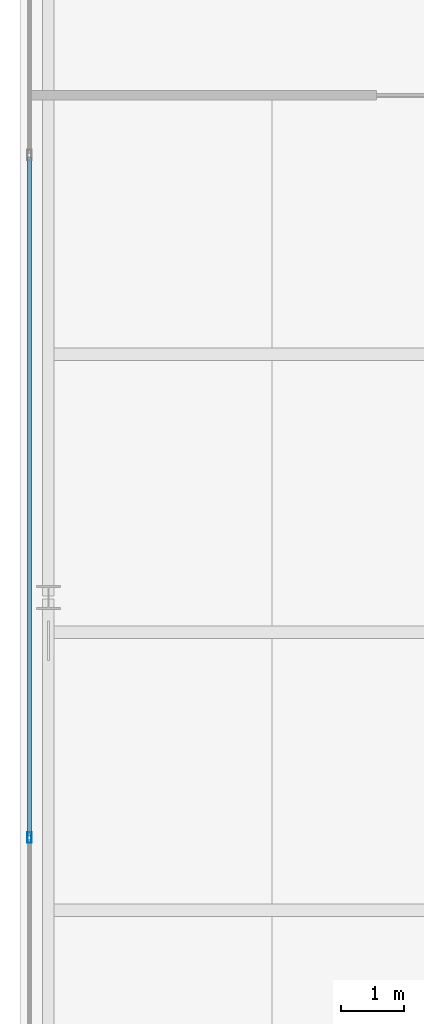
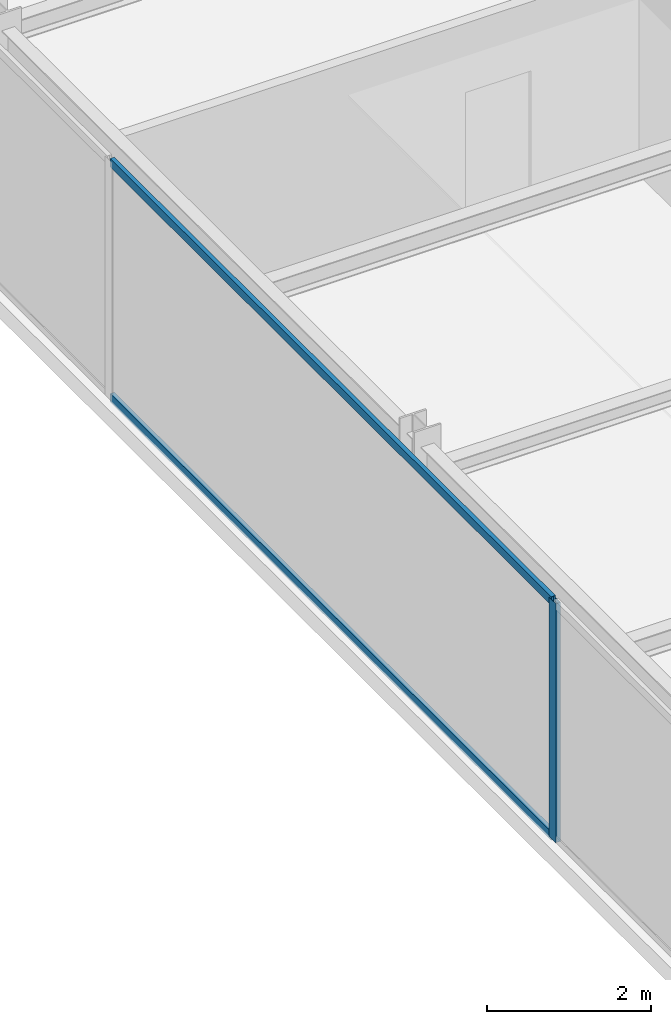
# One storey, part 10 of 31: 3 members, 1 element without a shape of its own.
"""IFC4 building model written with IfcOpenShell, lengths in metres."""

import ifcopenshell
import ifcopenshell.guid

model = None  # the IFC model being written
_history = None  # IfcOwnerHistory: only IFC2X3 demands one
_inside = {}  # id of a spatial element -> (the spatial element, [elements in it])
_under = {}  # id of a project, library or spatial element -> (it, [spatial elements below it])
_declared = {}  # id of a project -> (the project, [libraries it declares])
_typed = {}  # id of a type object -> (the type object, [elements of that type])
_made_of = {}  # id of a material, layer set ... -> (it, [elements and type objects made of it])


def new_model(schema):
    """Start an empty IFC model of exactly this schema.

    Asked for "IFC4X3", IfcOpenShell would pick the latest addendum, in which some entities
    have other attributes; the version numbers below select the first issue.
    IFC2X3 requires an IfcOwnerHistory on every rooted entity: one is made here for all.
    """
    global model, _history
    if schema == "IFC4X3":
        model = ifcopenshell.file(schema_version=(4, 3, 0, 0))
    else:
        model = ifcopenshell.file(schema=schema)
    _inside.clear()
    _under.clear()
    _declared.clear()
    _typed.clear()
    _made_of.clear()
    _history = None
    if model.schema == "IFC2X3":
        org = make("IfcOrganization", Name="unknown")
        user = make(
            "IfcPersonAndOrganization",
            ThePerson=make("IfcPerson", FamilyName="unknown"),
            TheOrganization=org,
        )
        app = make(
            "IfcApplication",
            ApplicationDeveloper=org,
            Version="unknown",
            ApplicationFullName="unknown",
            ApplicationIdentifier="unknown",
        )
        _history = make(
            "IfcOwnerHistory",
            OwningUser=user,
            OwningApplication=app,
            ChangeAction="ADDED",
            CreationDate=0,
        )
    return model


def make(cls, **values):
    """One entity of the class cls with the attributes given. An attribute that is None is left unset."""
    return model.create_entity(
        cls, **{name: value for name, value in values.items() if value is not None}
    )


def rooted(cls, **values):
    """An entity with a GlobalId (a new one), such as an element, a storey or a relation."""
    return make(cls, GlobalId=ifcopenshell.guid.new(), OwnerHistory=_history, **values)


def si_unit(unit_type, name, prefix=None):
    """IfcSIUnit, for example si_unit("LENGTHUNIT", "METRE", prefix="MILLI")."""
    return make("IfcSIUnit", UnitType=unit_type, Prefix=prefix, Name=name)


def assignment(units):
    """IfcUnitAssignment: the units of a project."""
    return None if units is None else make("IfcUnitAssignment", Units=units)


def point(xyz):
    """IfcCartesianPoint."""
    return None if xyz is None else make("IfcCartesianPoint", Coordinates=xyz)


def direction(xyz):
    """IfcDirection."""
    return None if xyz is None else make("IfcDirection", DirectionRatios=xyz)


def frame(location, z_axis=None, x_axis=None):
    """IfcAxis2Placement3D, a coordinate frame: its origin and axes. An axis left out is left unset."""
    return make(
        "IfcAxis2Placement3D",
        Location=point(location),
        Axis=direction(z_axis),
        RefDirection=direction(x_axis),
    )


def frame_2d(location, x_axis=None):
    """IfcAxis2Placement2D, a coordinate frame in the plane: its origin and x axis."""
    return make(
        "IfcAxis2Placement2D", Location=point(location), RefDirection=direction(x_axis)
    )


def origin():
    """The frame at (0, 0, 0) with its axes left unset."""
    return frame((0.0, 0.0, 0.0))


def origin_2d():
    """The frame at (0, 0) in the plane with its x axis left unset."""
    return frame_2d((0.0, 0.0))


def place(relative_to, where):
    """IfcLocalPlacement: puts the frame where relative to a parent placement (None: the world)."""
    return make(
        "IfcLocalPlacement", PlacementRelTo=relative_to, RelativePlacement=where
    )


def context(
    kind, dimensions, precision=None, world=None, true_north=None, identifier=None
):
    """IfcGeometricRepresentationContext, for example the 3D "Model" context."""
    return make(
        "IfcGeometricRepresentationContext",
        ContextIdentifier=identifier,
        ContextType=kind,
        CoordinateSpaceDimension=dimensions,
        Precision=precision,
        WorldCoordinateSystem=world,
        TrueNorth=true_north,
    )


def subcontext(parent, identifier, kind, view, scale=None):
    """IfcGeometricRepresentationSubContext, for example "Body" below "Model"."""
    return make(
        "IfcGeometricRepresentationSubContext",
        ContextIdentifier=identifier,
        ContextType=kind,
        ParentContext=parent,
        TargetScale=scale,
        TargetView=view,
    )


def project(units=None, contexts=None):
    """IfcProject with its units and contexts."""
    return rooted(
        "IfcProject",
        Name="project",
        RepresentationContexts=contexts,
        UnitsInContext=assignment(units),
    )


def spatial(cls, under=None, at=None, **own):
    """A site, building, storey or space (cls), placed at a placement, below another one or the project."""
    s = rooted(cls, ObjectPlacement=at, **own)
    if under is not None:
        _under.setdefault(under.id(), (under, []))[1].append(s)
    return s


def profile(cls, at=None, kind="AREA", **sizes):
    """A parametric profile (cls). Its sizes go by their IFC names, for example OverallWidth=200.0."""
    return make(cls, ProfileType=kind, Position=at, **sizes)


def hollow_rectangle(**sizes):
    """IfcRectangleHollowProfileDef."""
    return profile("IfcRectangleHollowProfileDef", **sizes)


def extrude(swept, where, along, depth):
    """IfcExtrudedAreaSolid: the profile swept, set in the frame where, extruded along a direction by depth."""
    return make(
        "IfcExtrudedAreaSolid",
        SweptArea=swept,
        Position=where,
        ExtrudedDirection=direction(along),
        Depth=depth,
    )


def shape(context_of_items, identifier, shape_type, items):
    """IfcShapeRepresentation: the items that make up one representation, for example the "Body"."""
    return make(
        "IfcShapeRepresentation",
        ContextOfItems=context_of_items,
        RepresentationIdentifier=identifier,
        RepresentationType=shape_type,
        Items=items,
    )


def source(mapping_origin, context_of_items, identifier, shape_type, items):
    """IfcRepresentationMap: a shape defined once, which mapped items show again and again."""
    return make(
        "IfcRepresentationMap",
        MappingOrigin=mapping_origin,
        MappedRepresentation=shape(context_of_items, identifier, shape_type, items),
    )


def transform(
    local_origin,
    x_axis=None,
    y_axis=None,
    z_axis=None,
    scale=None,
    scale2=None,
    scale3=None,
    uniform=True,
):
    """IfcCartesianTransformationOperator3D, or its non-uniform kind. x_axis, y_axis, z_axis: its Axis1, 2, 3."""
    if uniform:
        return make(
            "IfcCartesianTransformationOperator3D",
            Axis1=direction(x_axis),
            Axis2=direction(y_axis),
            LocalOrigin=point(local_origin),
            Scale=scale,
            Axis3=direction(z_axis),
        )
    return make(
        "IfcCartesianTransformationOperator3DnonUniform",
        Axis1=direction(x_axis),
        Axis2=direction(y_axis),
        LocalOrigin=point(local_origin),
        Scale=scale,
        Axis3=direction(z_axis),
        Scale2=scale2,
        Scale3=scale3,
    )


def mapped(mapping_source, mapping_target):
    """IfcMappedItem: shows the shape of a source again, moved by a transform."""
    return make(
        "IfcMappedItem", MappingSource=mapping_source, MappingTarget=mapping_target
    )


def material(Name=None, Category=None):
    """IfcMaterial."""
    return make("IfcMaterial", Name=Name, Category=Category)


def layer(
    of_material, thickness, ventilated=None, Name=None, Category=None, Priority=None
):
    """IfcMaterialLayer: one layer of a wall or slab, of a material (None: an air gap)."""
    return make(
        "IfcMaterialLayer",
        Material=of_material,
        LayerThickness=thickness,
        IsVentilated=ventilated,
        Name=Name,
        Category=Category,
        Priority=Priority,
    )


def layer_set(layers, Name=None):
    """IfcMaterialLayerSet."""
    return make("IfcMaterialLayerSet", MaterialLayers=layers, LayerSetName=Name)


def material_profile(
    of_material, cross_section, Name=None, Category=None, Priority=None
):
    """IfcMaterialProfile: a cross section and its material."""
    return make(
        "IfcMaterialProfile",
        Name=Name,
        Material=of_material,
        Profile=cross_section,
        Priority=Priority,
        Category=Category,
    )


def profile_set(profiles, Name=None, composite=None):
    """IfcMaterialProfileSet."""
    return make(
        "IfcMaterialProfileSet",
        Name=Name,
        MaterialProfiles=profiles,
        CompositeProfile=composite,
    )


def made_of(thing, what):
    """Note that an element or type object is made of a material, layer set ...; save() writes the relation."""
    if what is not None:
        _made_of.setdefault(what.id(), (what, []))[1].append(thing)
    return thing


def type_object(cls, material=None, **own):
    """A type object (cls), such as IfcWallType, which elements share."""
    return made_of(rooted(cls, **own), material)


def type_shapes(of_type, sources):
    """Give a type object the sources (RepresentationMaps) that its elements show as mapped items."""
    of_type.RepresentationMaps = sources


def element(
    cls,
    number,
    at=None,
    inside=None,
    cuts=None,
    type_object=None,
    material=None,
    context=None,
    identifier="Body",
    shape_type=None,
    held_by="IfcProductDefinitionShape",
    body=None,
    shapes=None,
    **own,
):
    """One element of the class cls, such as IfcWall. Its Tag is "e" and its number.

    at: its placement. inside: the storey or other place that contains it. cuts: it is an
    opening in that element (IfcRelVoidsElement). A single representation is given by context,
    identifier, shape_type and body (its items); several are given by shapes. held_by: the class
    of the entity that holds the representations. save() writes the other relations.
    """
    e = rooted(cls, Tag="e%d" % number, ObjectPlacement=at, **own)
    if body is not None:
        shapes = [shape(context, identifier, shape_type, body)]
    if shapes is not None:
        e.Representation = make(held_by, Representations=shapes)
    if inside is not None:
        _inside.setdefault(inside.id(), (inside, []))[1].append(e)
    if cuts is not None:
        rooted(
            "IfcRelVoidsElement", RelatingBuildingElement=cuts, RelatedOpeningElement=e
        )
    if type_object is not None:
        _typed.setdefault(type_object.id(), (type_object, []))[1].append(e)
    return made_of(e, material)


def aggregate(whole, parts):
    """IfcRelAggregates: a whole, such as a stair, and the parts it consists of."""
    return rooted("IfcRelAggregates", RelatingObject=whole, RelatedObjects=parts)


def save(model, path):
    """Write the relations noted so far, then the file.

    IfcRelAggregates (storeys below a building ...), IfcRelContainedInSpatialStructure (elements
    in a storey), IfcRelDefinesByType, IfcRelAssociatesMaterial and IfcRelDeclares: one each for
    every whole, place, type object, material and project.
    """
    for whole, parts in _under.values():
        aggregate(whole, parts)
    for where, things in _inside.values():
        rooted(
            "IfcRelContainedInSpatialStructure",
            RelatedElements=things,
            RelatingStructure=where,
        )
    for kind, things in _typed.values():
        rooted("IfcRelDefinesByType", RelatedObjects=things, RelatingType=kind)
    for what, things in _made_of.values():
        rooted("IfcRelAssociatesMaterial", RelatedObjects=things, RelatingMaterial=what)
    for by, libraries in _declared.values():
        rooted("IfcRelDeclares", RelatingContext=by, RelatedDefinitions=libraries)
    model.write(path)


model = new_model("IFC4")

# Units and contexts
model_context = context("Model", 3, precision=1e-05, world=origin(), true_north=direction((0.0, 1.0)))
body_context = subcontext(model_context, "Body", "Model", "MODEL_VIEW")
ifc_project = project(units=[si_unit("LENGTHUNIT", "METRE"), si_unit("AREAUNIT", "SQUARE_METRE"), si_unit("VOLUMEUNIT", "CUBIC_METRE"), si_unit("PLANEANGLEUNIT", "RADIAN"), si_unit("MASSUNIT", "GRAM", prefix="KILO")], contexts=[model_context])

# Site, building, storey
site_placement = place(None, origin())
site = spatial("IfcSite", under=ifc_project, at=site_placement, CompositionType="ELEMENT")
building_placement = place(site_placement, origin())
building = spatial("IfcBuilding", under=site, at=building_placement, Name="Varnel Quay Broadcast Tower", CompositionType="ELEMENT")
storey_placement = place(building_placement, frame((0.0, 0.0, 183.800048828125)))
storey = spatial("IfcBuildingStorey", under=building, at=storey_placement, Name="L45", CompositionType="ELEMENT", Elevation=183.800048828125)

# Curtain wall, members
ifc_material = material(Name="Anodised Bronze Aluminium 6063-T6", Category="aluminium")
ifc_layer = layer(ifc_material, 0.18994140625, Name="Anodised Bronze Aluminium 6063-T6")
ifc_layer_set = layer_set([ifc_layer], Name="Anodised Bronze Aluminium 6063-T6")
curtain_wall_type = type_object("IfcCurtainWallType", Name="CW_UpperTower", PredefinedType="NOTDEFINED", material=ifc_layer_set)
curtain_wall_placement = place(storey_placement, origin())
curtain_wall = element("IfcCurtainWall", 1, at=curtain_wall_placement, inside=storey, type_object=curtain_wall_type, Name="L45 West Unitised Curtain Wall", PredefinedType="NOTDEFINED")
ifc_material_profile_1 = material_profile(ifc_material, hollow_rectangle(XDim=0.06494140625, YDim=0.1650390625, WallThickness=0.00341796875, at=origin_2d()), Name="ALU65X165X3.5")
ifc_profile_set_1 = profile_set([ifc_material_profile_1], Name="Anodised Bronze Aluminium 6063-T6")
member_type_1 = type_object("IfcMemberType", Name="Mull_CWS-03", PredefinedType="MULLION", material=ifc_profile_set_1)
shared_shape_1 = source(origin(), body_context, "Body", "SweptSolid", [
    extrude(hollow_rectangle(XDim=0.06494140625, YDim=0.1650390625, WallThickness=0.00341796875, at=origin_2d()), origin(), (0.0, 0.0, 1.0), 3.550048828125),
])
type_shapes(member_type_1, [shared_shape_1])
member_1_placement = place(storey_placement, frame((7.14990234375, 21.60009765625, 0.0), z_axis=(0.0, 0.0, 1.0), x_axis=(-1.0, 0.0, 0.0)))
member_1 = element("IfcMember", 2, at=member_1_placement, type_object=member_type_1, Name="CWS-03 mullion 2", PredefinedType="MULLION", context=body_context, shape_type="MappedRepresentation", body=[
    mapped(shared_shape_1, transform((0.0, 0.0, 0.0), x_axis=(1.0, 0.0, 0.0), y_axis=(0.0, 1.0, 0.0), z_axis=(0.0, 0.0, 1.0), scale=1.0)),
])
ifc_material_profile_2 = material_profile(ifc_material, hollow_rectangle(XDim=0.06005859375, YDim=0.125, WallThickness=0.0029296875, at=origin_2d()), Name="ALU60X125X3")
ifc_profile_set_2 = profile_set([ifc_material_profile_2], Name="Anodised Bronze Aluminium 6063-T6")
member_type_2 = type_object("IfcMemberType", Name="Tran_CWS-03", PredefinedType="USERDEFINED", material=ifc_profile_set_2)
shared_shape_2 = source(origin(), body_context, "Body", "SweptSolid", [
    extrude(hollow_rectangle(XDim=0.06005859375, YDim=0.125, WallThickness=0.0029296875, at=origin_2d()), origin(), (0.0, 0.0, 1.0), 10.73486328125),
])
type_shapes(member_type_2, [shared_shape_2])
member_2_placement = place(storey_placement, frame((7.14990234375, 21.632568359375, 0.030029296875), z_axis=(0.0, 1.0, 0.0), x_axis=(-1.0, 0.0, 0.0)))
member_2 = element("IfcMember", 3, at=member_2_placement, type_object=member_type_2, Name="CWS-03 transom 2.1", ObjectType="TRANSOM", PredefinedType="USERDEFINED", context=body_context, shape_type="MappedRepresentation", body=[
    mapped(shared_shape_2, transform((0.0, 0.0, 0.0), x_axis=(1.0, 0.0, 0.0), y_axis=(0.0, 1.0, 0.0), z_axis=(0.0, 0.0, 1.0), scale=1.0)),
])
member_3_placement = place(storey_placement, frame((7.14990234375, 21.632568359375, 3.52001953125), z_axis=(0.0, 1.0, 0.0), x_axis=(-1.0, 0.0, 0.0)))
member_3 = element("IfcMember", 4, at=member_3_placement, type_object=member_type_2, Name="CWS-03 transom 2.2", ObjectType="TRANSOM", PredefinedType="USERDEFINED", context=body_context, shape_type="MappedRepresentation", body=[
    mapped(shared_shape_2, transform((0.0, 0.0, 0.0), x_axis=(1.0, 0.0, 0.0), y_axis=(0.0, 1.0, 0.0), z_axis=(0.0, 0.0, 1.0), scale=1.0)),
])
aggregate(curtain_wall, [member_1, member_2, member_3])

save(model, "model.ifc")
